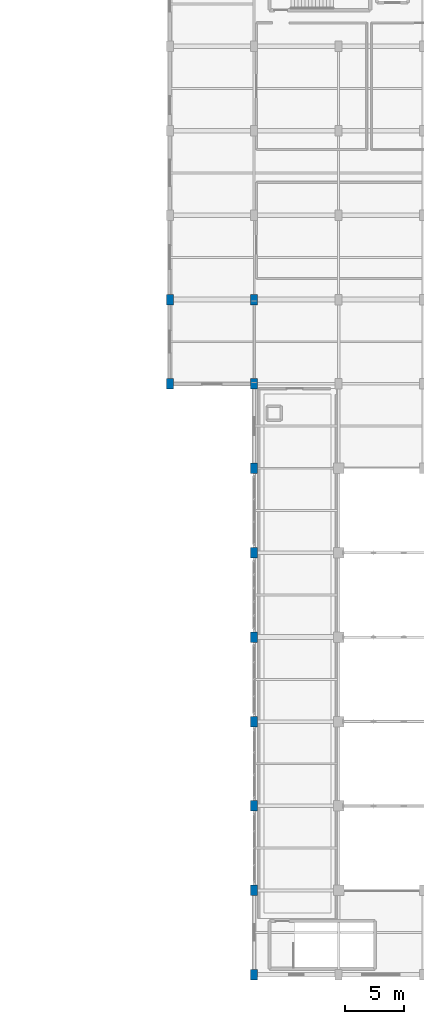
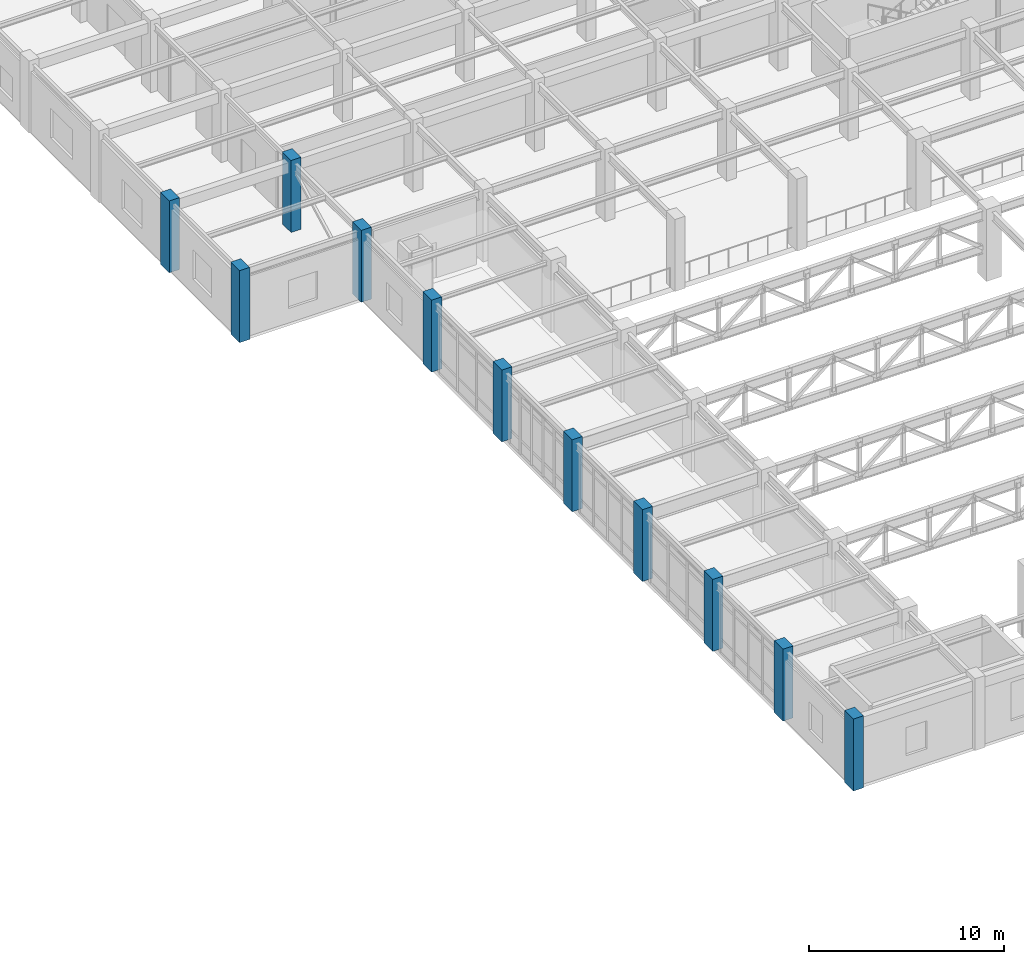
# One storey, part 4 of 106: 11 columns.
"""IFC4 building model written with IfcOpenShell, lengths in metres."""

from ifc_helpers import new_model, si_unit, direction, frame, origin, origin_2d, place, context, subcontext, project, spatial, rectangle, extrude, material, material_profile, profile_set, type_object, element, save


model = new_model("IFC4")

# Units and contexts
model_context = context("Model", 3, precision=1e-05, world=origin(), true_north=direction((0.0, 1.0)))
body_context = subcontext(model_context, "Body", "Model", "MODEL_VIEW")
ifc_project = project(units=[si_unit("LENGTHUNIT", "METRE"), si_unit("AREAUNIT", "SQUARE_METRE"), si_unit("VOLUMEUNIT", "CUBIC_METRE"), si_unit("PLANEANGLEUNIT", "RADIAN"), si_unit("MASSUNIT", "GRAM", prefix="KILO")], contexts=[model_context])

# Site, building, storey
site_placement = place(None, origin())
site = spatial("IfcSite", under=ifc_project, at=site_placement, CompositionType="ELEMENT")
building_placement = place(site_placement, origin())
building = spatial("IfcBuilding", under=site, at=building_placement, Name="Carrowvane Square Congress Hotel", CompositionType="ELEMENT")
storey_placement = place(building_placement, frame((0.0, 0.0, 10.5)))
storey = spatial("IfcBuildingStorey", under=building, at=storey_placement, Name="L02", CompositionType="ELEMENT", Elevation=10.5)

# Columns
ifc_material = material(Name="Concrete C40/50", Category="concrete")
ifc_material_profile = material_profile(ifc_material, rectangle(XDim=0.60009765625, YDim=0.89990234375, at=origin_2d()), Name="RC 600x900")
ifc_profile_set = profile_set([ifc_material_profile], Name="Concrete C40/50")
column_type = type_object("IfcColumnType", Name="COL-RC-600x900", PredefinedType="COLUMN", material=ifc_profile_set)
for number, where, z_axis, x_axis, name in (
    (1, (126.800048828125, 55.800048828125, 0.0), (0.0, 0.0, 1.0), (1.0, 0.0, 0.0), "L02 column 17/H"),
    (2, (126.800048828125, 63.0, 0.0), (0.0, 0.0, 1.0), (1.0, 0.0, 0.0), "L02 column 17/J"),
    (3, (134.0, 5.39990234375, 0.0), (0.0, 0.0, 1.0), (1.0, 0.0, 0.0), "L02 column 18/A"),
    (4, (134.0, 12.60009765625, 0.0), (0.0, 0.0, 1.0), (1.0, 0.0, 0.0), "L02 column 18/B"),
    (5, (134.0, 19.800048828125, 0.0), (0.0, 0.0, 1.0), (1.0, 0.0, 0.0), "L02 column 18/C"),
    (6, (134.0, 27.0, 0.0), (0.0, 0.0, 1.0), (1.0, 0.0, 0.0), "L02 column 18/D"),
    (7, (134.0, 34.199951171875, 0.0), (0.0, 0.0, 1.0), (1.0, 0.0, 0.0), "L02 column 18/E"),
    (8, (134.0, 41.39990234375, 0.0), (0.0, 0.0, 1.0), (1.0, 0.0, 0.0), "L02 column 18/F"),
    (9, (134.0, 48.60009765625, 0.0), (0.0, 0.0, 1.0), (1.0, 0.0, 0.0), "L02 column 18/G"),
    (10, (134.0, 55.800048828125, 0.0), (0.0, 0.0, 1.0), (1.0, 0.0, 0.0), "L02 column 18/H"),
    (11, (134.0, 63.0, 0.0), (0.0, 0.0, 1.0), (1.0, 0.0, 0.0), "L02 column 18/J"),
):
    element("IfcColumn", number, at=place(storey_placement, frame(where, z_axis=z_axis, x_axis=x_axis)), inside=storey, type_object=column_type, Name=name, PredefinedType="COLUMN", context=body_context, shape_type="SweptSolid", body=[
        extrude(rectangle(XDim=0.60009765625, YDim=0.89990234375, at=origin_2d()), origin(), (0.0, 0.0, 1.0), 4.5),
    ])

save(model, "model.ifc")
